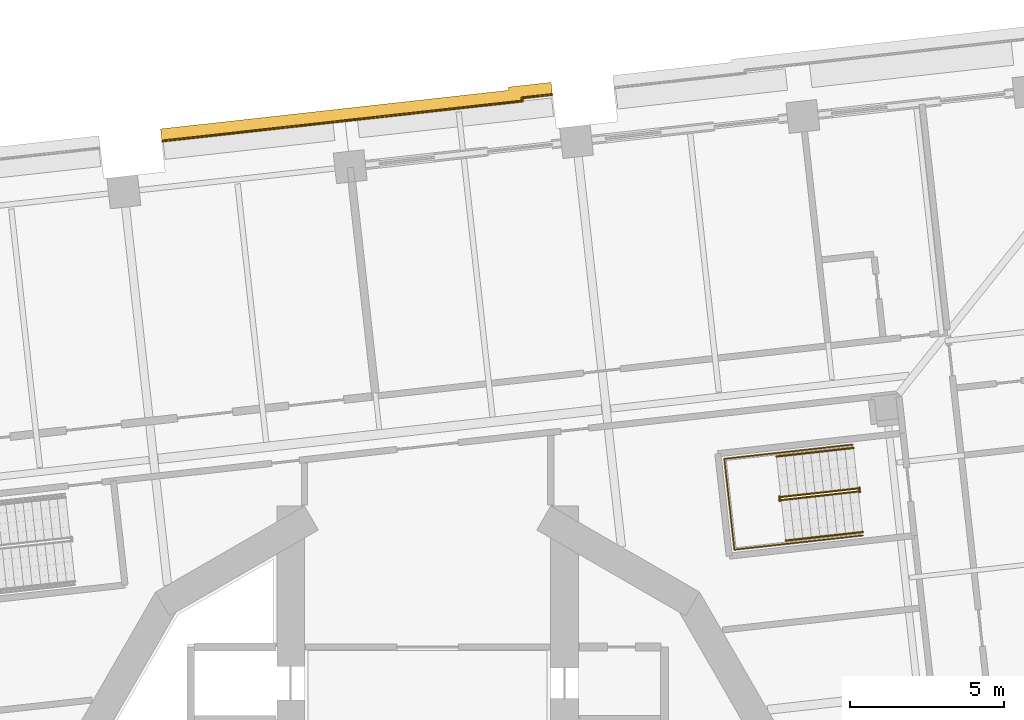
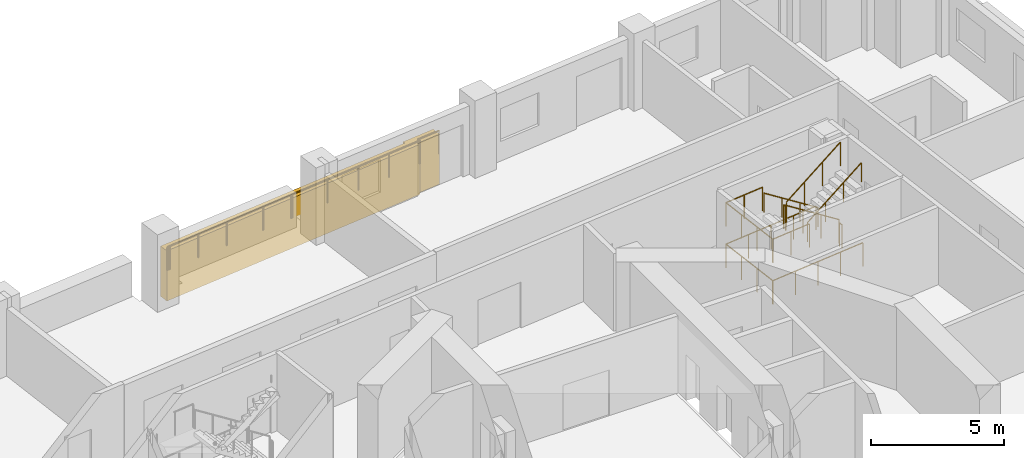
# One storey, part 17 of 19: 8 railings, 1 covering.
"""IFC4 building model written with IfcOpenShell, lengths in metres."""

from ifc_helpers import new_model, si_unit, direction, frame, origin, origin_2d, place, context, subcontext, project, spatial, polyline, circle, outline, extrude, material, type_object, element, save


model = new_model("IFC4")

# Units and contexts
model_context = context("Model", 3, precision=1e-05, world=origin(), true_north=direction((0.0, 1.0)))
body_context = subcontext(model_context, "Body", "Model", "MODEL_VIEW")
ifc_project = project(units=[si_unit("LENGTHUNIT", "METRE"), si_unit("AREAUNIT", "SQUARE_METRE"), si_unit("VOLUMEUNIT", "CUBIC_METRE"), si_unit("PLANEANGLEUNIT", "RADIAN"), si_unit("MASSUNIT", "GRAM", prefix="KILO")], contexts=[model_context])

# Site, building, storey
site_placement = place(None, origin())
site = spatial("IfcSite", under=ifc_project, at=site_placement, CompositionType="ELEMENT")
building_placement = place(site_placement, origin())
building = spatial("IfcBuilding", under=site, at=building_placement, Name="Cantera Rosa Tower", CompositionType="ELEMENT")
storey_placement = place(building_placement, frame((0.0, 0.0, 53.89990234375)))
storey = spatial("IfcBuildingStorey", under=building, at=storey_placement, Name="L10", CompositionType="ELEMENT", Elevation=53.89990234375)

# Railings
ifc_material_1 = material(Name="Stainless steel and laminated glass", Category="steel")
railing_type_1 = type_object("IfcRailingType", Name="GUARD 1100", PredefinedType="BALUSTRADE", material=ifc_material_1)
railing_1_placement = place(storey_placement, frame((-8.6142578125, 23.4931640625, 0.0)))
element("IfcRailing", 1, at=railing_1_placement, inside=storey, type_object=railing_type_1, Name="GUARD L10-6", PredefinedType="BALUSTRADE", context=body_context, shape_type="SweptSolid", body=[
    extrude(circle(Radius=0.030029296875, at=origin_2d()), frame((0.0, 0.0, 1.070068359375), z_axis=(0.994136314057, 0.108134125389, 0.0), x_axis=(-0.108134125389, 0.994136314057, 0.0)), (0.0, 0.0, 1.0), 0.070068359375),
    extrude(circle(Radius=0.030029296875, at=origin_2d()), frame((0.069580078125, 0.007568359375, 1.070068359375), z_axis=(0.993452373169, 0.114247022914, 0.0), x_axis=(-0.114247022914, 0.993452373169, 0.0)), (0.0, 0.0, 1.0), 0.049072265625),
    extrude(circle(Radius=0.030029296875, at=origin_2d()), frame((0.118408203125, 0.01318359375, 1.070068359375), z_axis=(1.0, 0.0, 0.0), x_axis=(0.0, 1.0, 0.0)), (0.0, 0.0, 1.0), 0.0009765625),
    extrude(circle(Radius=0.030029296875, at=origin_2d()), frame((0.119384765625, 0.01318359375, 1.070068359375), z_axis=(0.993896112553, 0.110320068224, 0.0), x_axis=(-0.110320068224, 0.993896112553, 0.0)), (0.0, 0.0, 1.0), 2.64453125),
    extrude(circle(Radius=0.030029296875, at=origin_2d()), frame((2.747802734375, 0.304931640625, 1.070068359375), z_axis=(0.993890715615, 0.110368679496, 0.0), x_axis=(-0.110368679496, 0.993890715615, 0.0)), (0.0, 0.0, 1.0), 1.70556640625),
    extrude(circle(Radius=0.030029296875, at=origin_2d()), frame((4.44287109375, 0.4931640625, 1.070068359375), z_axis=(0.993895151024, 0.110328730485, 0.0), x_axis=(-0.110328730485, 0.993895151024, 0.0)), (0.0, 0.0, 1.0), 1.303466796875),
    extrude(circle(Radius=0.030029296875, at=origin_2d()), frame((5.73828125, 0.636962890625, 1.070068359375), z_axis=(0.99394736519, 0.109857340363, 0.0), x_axis=(-0.109857340363, 0.99394736519, 0.0)), (0.0, 0.0, 1.0), 0.046630859375),
    extrude(circle(Radius=0.030029296875, at=origin_2d()), frame((5.78466796875, 0.64208984375, 1.070068359375), z_axis=(0.993905369514, 0.110236638423, 0.0), x_axis=(-0.110236638423, 0.993905369514, 0.0)), (0.0, 0.0, 1.0), 1.64990234375),
    extrude(circle(Radius=0.030029296875, at=origin_2d()), frame((7.424560546875, 0.823974609375, 1.070068359375), z_axis=(0.993897587788, 0.110306776711, 0.0), x_axis=(-0.110306776711, 0.993897587788, 0.0)), (0.0, 0.0, 1.0), 4.2958984375),
    extrude(circle(Radius=0.030029296875, at=origin_2d()), frame((11.6943359375, 1.2978515625, 1.070068359375), z_axis=(-0.110431526075, 0.993883734674, 0.0), x_axis=(-0.993883734674, -0.110431526075, 0.0)), (0.0, 0.0, 1.0), 0.10400390625),
    extrude(circle(Radius=0.030029296875, at=origin_2d()), frame((11.682861328125, 1.401123046875, 1.070068359375), z_axis=(0.993899009794, 0.110293963256, 0.0), x_axis=(-0.110293963256, 0.993899009794, 0.0)), (0.0, 0.0, 1.0), 0.973876953125),
    extrude(circle(Radius=0.02490234375, at=origin_2d()), origin(), (0.0, 0.0, 1.0), 1.0400390625),
    extrude(circle(Radius=0.02490234375, at=origin_2d()), frame((0.069580078125, 0.007568359375, 0.0)), (0.0, 0.0, 1.0), 1.0400390625),
    extrude(circle(Radius=0.02490234375, at=origin_2d()), frame((0.118408203125, 0.01318359375, 0.0)), (0.0, 0.0, 1.0), 1.0400390625),
    extrude(circle(Radius=0.02490234375, at=origin_2d()), frame((0.119384765625, 0.01318359375, 0.0)), (0.0, 0.0, 1.0), 1.0400390625),
    extrude(circle(Radius=0.02490234375, at=origin_2d()), frame((1.43359375, 0.1591796875, 0.0)), (0.0, 0.0, 1.0), 1.0400390625),
    extrude(circle(Radius=0.02490234375, at=origin_2d()), frame((2.747802734375, 0.304931640625, 0.0)), (0.0, 0.0, 1.0), 1.0400390625),
    extrude(circle(Radius=0.02490234375, at=origin_2d()), frame((4.44287109375, 0.4931640625, 0.0)), (0.0, 0.0, 1.0), 1.0400390625),
    extrude(circle(Radius=0.02490234375, at=origin_2d()), frame((5.73828125, 0.636962890625, 0.0)), (0.0, 0.0, 1.0), 1.0400390625),
    extrude(circle(Radius=0.02490234375, at=origin_2d()), frame((5.78466796875, 0.64208984375, 0.0)), (0.0, 0.0, 1.0), 1.0400390625),
    extrude(circle(Radius=0.02490234375, at=origin_2d()), frame((7.424560546875, 0.823974609375, 0.0)), (0.0, 0.0, 1.0), 1.0400390625),
    extrude(circle(Radius=0.02490234375, at=origin_2d()), frame((8.847900390625, 0.98193359375, 0.0)), (0.0, 0.0, 1.0), 1.0400390625),
    extrude(circle(Radius=0.02490234375, at=origin_2d()), frame((10.27099609375, 1.139892578125, 0.0)), (0.0, 0.0, 1.0), 1.0400390625),
    extrude(circle(Radius=0.02490234375, at=origin_2d()), frame((11.6943359375, 1.2978515625, 0.0)), (0.0, 0.0, 1.0), 1.0400390625),
    extrude(circle(Radius=0.02490234375, at=origin_2d()), frame((11.682861328125, 1.401123046875, 0.0)), (0.0, 0.0, 1.0), 1.0400390625),
    extrude(circle(Radius=0.02490234375, at=origin_2d()), frame((12.65087890625, 1.508544921875, 0.0)), (0.0, 0.0, 1.0), 1.0400390625),
])
ifc_material_2 = material(Name="Steel S355J2 (EN 10025-2)", Category="steel")
railing_type_2 = type_object("IfcRailingType", Name="STAIR GUARD 1100", PredefinedType="GUARDRAIL", material=ifc_material_2)
railing_2_placement = place(storey_placement, frame((13.986083984375, 12.203125, 0.190185546875)))
element("IfcRailing", 2, at=railing_2_placement, inside=storey, type_object=railing_type_2, Name="L10 ST-11 stair guard 1", PredefinedType="GUARDRAIL", context=body_context, shape_type="SweptSolid", body=[
    extrude(circle(Radius=0.02392578125, at=origin_2d()), frame((0.0, 0.0, 1.076171875), z_axis=(-0.822431337597, -0.091310000343, 0.561488360321), x_axis=(0.110346460196, -0.993893182753, 0.0)), (0.0, 0.0, 1.0), 3.04541015625),
    extrude(circle(Radius=0.02392578125, at=origin_2d()), frame((-2.504638671875, -0.278076171875, 2.7861328125), z_axis=(-0.931434406233, 0.363909256389, 0.0), x_axis=(-0.363909256389, -0.931434406233, 0.0)), (0.0, 0.0, 1.0), 0.056396484375),
    extrude(circle(Radius=0.02392578125, at=origin_2d()), frame((-2.55712890625, -0.257568359375, 2.7861328125), z_axis=(0.1090029065, -0.994041430915, 0.0), x_axis=(0.994041430915, 0.1090029065, 0.0)), (0.0, 0.0, 1.0), 0.150146484375),
    extrude(circle(Radius=0.02099609375, at=origin_2d()), origin(), (0.0, 0.0, 1.0), 1.052001953125),
    extrude(circle(Radius=0.02099609375, at=origin_2d()), frame((-0.8349609375, -0.0927734375, 0.570068359375)), (0.0, 0.0, 1.0), 1.052001953125),
    extrude(circle(Radius=0.02099609375, at=origin_2d()), frame((-1.669677734375, -0.185302734375, 1.139892578125)), (0.0, 0.0, 1.0), 1.052001953125),
    extrude(circle(Radius=0.02099609375, at=origin_2d()), frame((-2.504638671875, -0.278076171875, 1.7099609375)), (0.0, 0.0, 1.0), 1.052001953125),
    extrude(circle(Radius=0.02099609375, at=origin_2d()), frame((-2.55712890625, -0.257568359375, 1.7099609375)), (0.0, 0.0, 1.0), 1.052001953125),
    extrude(circle(Radius=0.02099609375, at=origin_2d()), frame((-2.540771484375, -0.40673828125, 1.7099609375)), (0.0, 0.0, 1.0), 1.052001953125),
])
railing_3_placement = place(storey_placement, frame((11.4921875, 11.82763671875, 2.090087890625)))
element("IfcRailing", 3, at=railing_3_placement, inside=storey, type_object=railing_type_2, Name="L10 ST-11 stair guard 2", PredefinedType="GUARDRAIL", context=body_context, shape_type="SweptSolid", body=[
    extrude(circle(Radius=0.02392578125, at=origin_2d()), frame((0.0, 0.0, 1.076171875), z_axis=(0.822431337597, 0.091310000343, 0.561488360321), x_axis=(-0.110346460196, 0.993893182753, 0.0)), (0.0, 0.0, 1.0), 3.04541015625),
    extrude(circle(Radius=0.02099609375, at=origin_2d()), origin(), (0.0, 0.0, 1.0), 1.052001953125),
    extrude(circle(Radius=0.02099609375, at=origin_2d()), frame((0.8349609375, 0.0927734375, 0.570068359375)), (0.0, 0.0, 1.0), 1.052001953125),
    extrude(circle(Radius=0.02099609375, at=origin_2d()), frame((1.669677734375, 0.185302734375, 1.139892578125)), (0.0, 0.0, 1.0), 1.052001953125),
    extrude(circle(Radius=0.02099609375, at=origin_2d()), frame((2.504638671875, 0.278076171875, 1.7099609375)), (0.0, 0.0, 1.0), 1.052001953125),
])
railing_4_placement = place(storey_placement, frame((14.032958984375, 12.234375, 0.0)))
element("IfcRailing", 4, at=railing_4_placement, inside=storey, type_object=railing_type_2, Name="L10 ST-11 stair guard 3", PredefinedType="GUARDRAIL", context=body_context, shape_type="SweptSolid", body=[
    extrude(circle(Radius=0.02392578125, at=origin_2d()), frame((0.0, 0.0, 1.076171875), z_axis=(0.109179471459, -0.994022053584, 0.0), x_axis=(0.994022053584, 0.109179471459, 0.0)), (0.0, 0.0, 1.0), 0.14990234375),
    extrude(circle(Radius=0.02099609375, at=origin_2d()), origin(), (0.0, 0.0, 1.0), 1.052001953125),
    extrude(circle(Radius=0.02099609375, at=origin_2d()), frame((0.016357421875, -0.14892578125, 0.0)), (0.0, 0.0, 1.0), 1.052001953125),
])
railing_5_placement = place(storey_placement, frame((13.815673828125, 13.629150390625, 0.0)))
element("IfcRailing", 5, at=railing_5_placement, inside=storey, type_object=railing_type_2, Name="L10 ST-11 stair guard 4", PredefinedType="GUARDRAIL", context=body_context, shape_type="SweptSolid", body=[
    extrude(circle(Radius=0.02392578125, at=origin_2d()), frame((0.0, 0.0, 1.076171875), z_axis=(-0.9938957856, -0.110323013767, 0.0), x_axis=(0.110323013767, -0.9938957856, 0.0)), (0.0, 0.0, 1.0), 4.197998046875),
    extrude(circle(Radius=0.02392578125, at=origin_2d()), frame((-4.17236328125, -0.463134765625, 1.076171875), z_axis=(0.110314237986, -0.993896759678, 0.0), x_axis=(0.993896759678, 0.110314237986, 0.0)), (0.0, 0.0, 1.0), 2.969970703125),
    extrude(circle(Radius=0.02392578125, at=origin_2d()), frame((-3.8447265625, -3.4150390625, 1.076171875), z_axis=(0.9938957856, 0.110323013767, 0.0), x_axis=(-0.110323013767, 0.9938957856, 0.0)), (0.0, 0.0, 1.0), 4.197998046875),
    extrude(circle(Radius=0.02099609375, at=origin_2d()), origin(), (0.0, 0.0, 1.0), 1.052001953125),
    extrude(circle(Radius=0.02099609375, at=origin_2d()), frame((-1.04296875, -0.11572265625, 0.0)), (0.0, 0.0, 1.0), 1.052001953125),
    extrude(circle(Radius=0.02099609375, at=origin_2d()), frame((-2.086181640625, -0.2314453125, 0.0)), (0.0, 0.0, 1.0), 1.052001953125),
    extrude(circle(Radius=0.02099609375, at=origin_2d()), frame((-3.12939453125, -0.347412109375, 0.0)), (0.0, 0.0, 1.0), 1.052001953125),
    extrude(circle(Radius=0.02099609375, at=origin_2d()), frame((-4.17236328125, -0.463134765625, 0.0)), (0.0, 0.0, 1.0), 1.052001953125),
    extrude(circle(Radius=0.02099609375, at=origin_2d()), frame((-4.063232421875, -1.447021484375, 0.0)), (0.0, 0.0, 1.0), 1.052001953125),
    extrude(circle(Radius=0.02099609375, at=origin_2d()), frame((-3.953857421875, -2.43115234375, 0.0)), (0.0, 0.0, 1.0), 1.052001953125),
    extrude(circle(Radius=0.02099609375, at=origin_2d()), frame((-3.8447265625, -3.4150390625, 0.0)), (0.0, 0.0, 1.0), 1.052001953125),
    extrude(circle(Radius=0.02099609375, at=origin_2d()), frame((-2.8017578125, -3.29931640625, 0.0)), (0.0, 0.0, 1.0), 1.052001953125),
    extrude(circle(Radius=0.02099609375, at=origin_2d()), frame((-1.758544921875, -3.18359375, 0.0)), (0.0, 0.0, 1.0), 1.052001953125),
    extrude(circle(Radius=0.02099609375, at=origin_2d()), frame((-0.71533203125, -3.067626953125, 0.0)), (0.0, 0.0, 1.0), 1.052001953125),
    extrude(circle(Radius=0.02099609375, at=origin_2d()), frame((0.32763671875, -2.951904296875, 0.0)), (0.0, 0.0, 1.0), 1.052001953125),
])
railing_6_placement = place(storey_placement, frame((11.3349609375, 13.353759765625, 1.900146484375)))
element("IfcRailing", 6, at=railing_6_placement, inside=storey, type_object=railing_type_2, Name="L10 ST-11 stair guard 5", PredefinedType="GUARDRAIL", context=body_context, shape_type="SweptSolid", body=[
    extrude(circle(Radius=0.02392578125, at=origin_2d()), frame((0.0, 0.0, 1.076171875), z_axis=(-0.993897720867, -0.110305577623, 0.0), x_axis=(0.110305577623, -0.993897720867, 0.0)), (0.0, 0.0, 1.0), 1.7021484375),
    extrude(circle(Radius=0.02392578125, at=origin_2d()), frame((-1.691650390625, -0.187744140625, 1.076171875), z_axis=(0.110314237986, -0.993896759678, 0.0), x_axis=(0.993896759678, 0.110314237986, 0.0)), (0.0, 0.0, 1.0), 2.969970703125),
    extrude(circle(Radius=0.02392578125, at=origin_2d()), frame((-1.364013671875, -3.1396484375, 1.076171875), z_axis=(0.993897720867, 0.110305577623, 0.0), x_axis=(-0.110305577623, 0.993897720867, 0.0)), (0.0, 0.0, 1.0), 1.7021484375),
    extrude(circle(Radius=0.02099609375, at=origin_2d()), origin(), (0.0, 0.0, 1.0), 1.052001953125),
    extrude(circle(Radius=0.02099609375, at=origin_2d()), frame((-0.845703125, -0.09375, 0.0)), (0.0, 0.0, 1.0), 1.052001953125),
    extrude(circle(Radius=0.02099609375, at=origin_2d()), frame((-1.691650390625, -0.187744140625, 0.0)), (0.0, 0.0, 1.0), 1.052001953125),
    extrude(circle(Radius=0.02099609375, at=origin_2d()), frame((-1.58251953125, -1.171630859375, 0.0)), (0.0, 0.0, 1.0), 1.052001953125),
    extrude(circle(Radius=0.02099609375, at=origin_2d()), frame((-1.47314453125, -2.15576171875, 0.0)), (0.0, 0.0, 1.0), 1.052001953125),
    extrude(circle(Radius=0.02099609375, at=origin_2d()), frame((-1.364013671875, -3.1396484375, 0.0)), (0.0, 0.0, 1.0), 1.052001953125),
    extrude(circle(Radius=0.02099609375, at=origin_2d()), frame((-0.51806640625, -3.0458984375, 0.0)), (0.0, 0.0, 1.0), 1.052001953125),
    extrude(circle(Radius=0.02099609375, at=origin_2d()), frame((0.32763671875, -2.951904296875, 0.0)), (0.0, 0.0, 1.0), 1.052001953125),
])
ifc_material_3 = material(Name="Steel S355J2 (EN 10025-2)", Category="steel")
railing_type_3 = type_object("IfcRailingType", Name="STAIR HANDRAIL 900", PredefinedType="HANDRAIL", material=ifc_material_3)
railing_7_placement = place(storey_placement, frame((13.83984375, 13.52099609375, 0.190185546875)))
element("IfcRailing", 7, at=railing_7_placement, inside=storey, type_object=railing_type_3, Name="L10 ST-11 stair handrail 1", PredefinedType="HANDRAIL", context=body_context, shape_type="SweptSolid", body=[
    extrude(circle(Radius=0.02392578125, at=origin_2d()), frame((0.0, 0.0, 0.8759765625), z_axis=(-0.822437355244, -0.09123050105, 0.561492468674), x_axis=(0.110250758185, -0.993903803353, 0.0)), (0.0, 0.0, 1.0), 3.04541015625),
    extrude(circle(Radius=0.02099609375, at=origin_2d()), origin(), (0.0, 0.0, 1.0), 0.851806640625),
    extrude(circle(Radius=0.02099609375, at=origin_2d()), frame((-0.8349609375, -0.092529296875, 0.570068359375)), (0.0, 0.0, 1.0), 0.851806640625),
    extrude(circle(Radius=0.02099609375, at=origin_2d()), frame((-1.669677734375, -0.185302734375, 1.139892578125)), (0.0, 0.0, 1.0), 0.851806640625),
    extrude(circle(Radius=0.02099609375, at=origin_2d()), frame((-2.504638671875, -0.27783203125, 1.7099609375)), (0.0, 0.0, 1.0), 0.851806640625),
])
railing_8_placement = place(storey_placement, frame((11.638427734375, 10.509765625, 2.090087890625)))
element("IfcRailing", 8, at=railing_8_placement, inside=storey, type_object=railing_type_3, Name="L10 ST-11 stair handrail 2", PredefinedType="HANDRAIL", context=body_context, shape_type="SweptSolid", body=[
    extrude(circle(Radius=0.02392578125, at=origin_2d()), frame((0.0, 0.0, 0.8759765625), z_axis=(0.822431337597, 0.091310000343, 0.561488360321), x_axis=(-0.110346460196, 0.993893182753, 0.0)), (0.0, 0.0, 1.0), 3.04541015625),
    extrude(circle(Radius=0.02099609375, at=origin_2d()), origin(), (0.0, 0.0, 1.0), 0.851806640625),
    extrude(circle(Radius=0.02099609375, at=origin_2d()), frame((0.8349609375, 0.0927734375, 0.570068359375)), (0.0, 0.0, 1.0), 0.851806640625),
    extrude(circle(Radius=0.02099609375, at=origin_2d()), frame((1.669677734375, 0.185302734375, 1.139892578125)), (0.0, 0.0, 1.0), 0.851806640625),
    extrude(circle(Radius=0.02099609375, at=origin_2d()), frame((2.504638671875, 0.278076171875, 1.7099609375)), (0.0, 0.0, 1.0), 0.851806640625),
])

# Covering
ifc_material_4 = material(Name="Cantera stone", Category="masonry")
covering_type = type_object("IfcCoveringType", Name="TRAY FASCIA 400", PredefinedType="CLADDING", material=ifc_material_4)
covering_placement = place(storey_placement, frame((0.0, 0.0, -1.39990234375)))
element("IfcCovering", 9, at=covering_placement, inside=storey, type_object=covering_type, Name="TRAY FASCIA L10-03", PredefinedType="CLADDING", context=body_context, shape_type="SweptSolid", body=[
    extrude(outline(polyline([(-8.588623046875, 23.8984375), (-4.215576171875, 24.3837890625), (-1.23388671875, 24.71484375), (2.638427734375, 25.14453125), (2.626953125, 25.247802734375), (4.012451171875, 25.401611328125), (4.056396484375, 25.00390625), (3.068603515625, 24.894287109375), (3.080078125, 24.791015625), (-1.189697265625, 24.317138671875), (-4.17138671875, 23.986328125), (-8.544677734375, 23.500732421875), (-8.634033203125, 23.490966796875), (-8.67822265625, 23.888427734375), (-8.588623046875, 23.8984375)])), origin(), (0.0, 0.0, 1.0), 2.300048828125),
])

save(model, "model.ifc")
